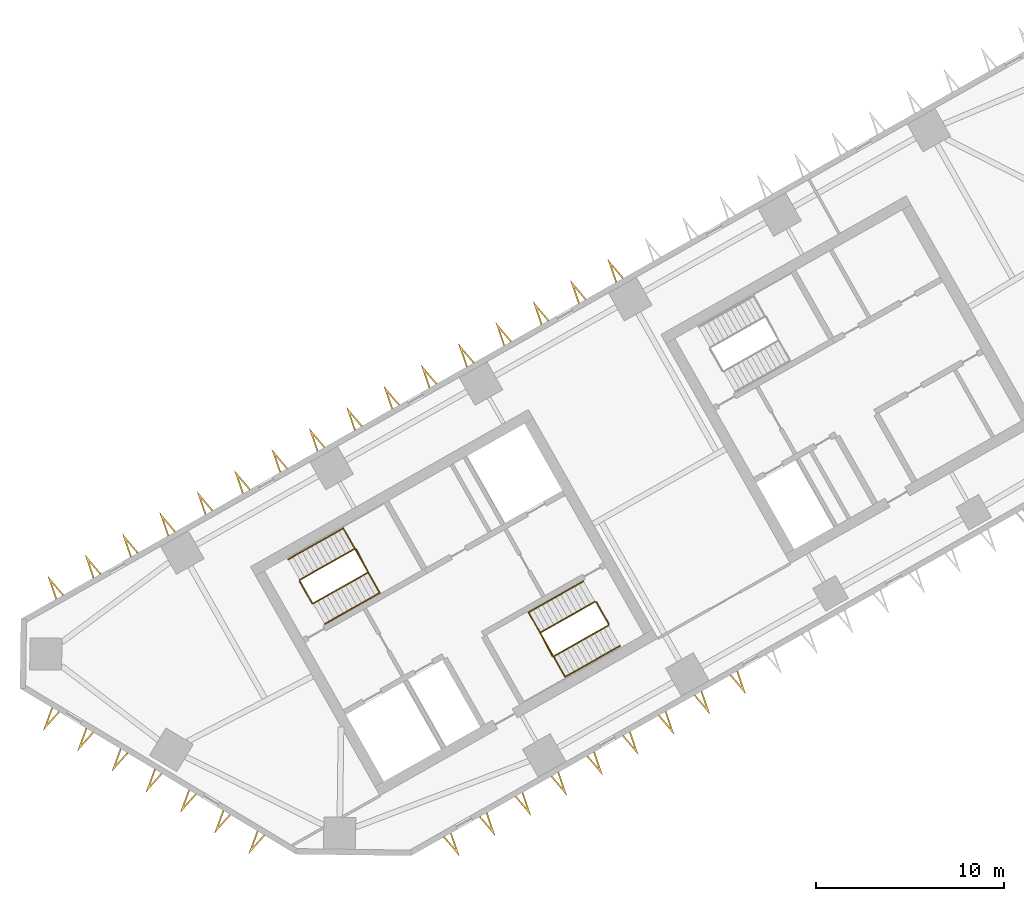
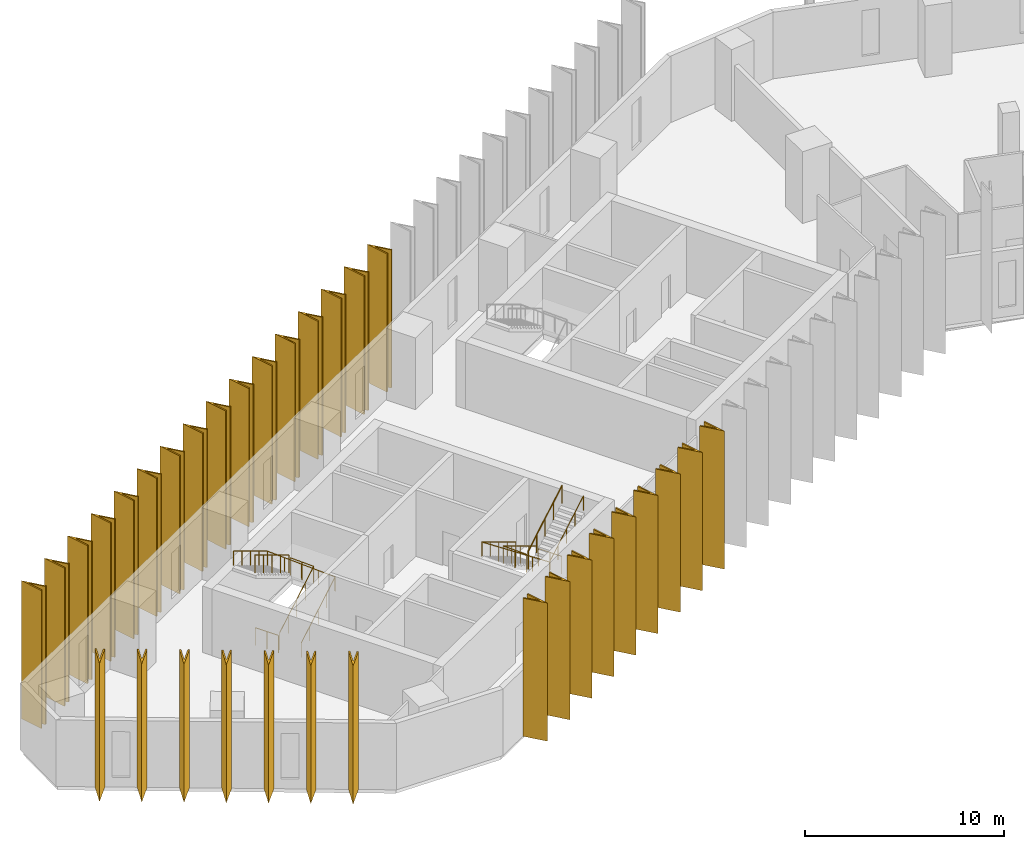
# One storey, part 9 of 11: 32 shading devices, 8 railings.
"""IFC4 building model written with IfcOpenShell, lengths in metres."""

from ifc_helpers import new_model, si_unit, direction, frame, origin, origin_2d, place, context, subcontext, project, spatial, polyline, circle, outline, extrude, material, type_object, element, save


model = new_model("IFC4")

# Units and contexts
model_context = context("Model", 3, precision=1e-05, world=origin(), true_north=direction((0.0, 1.0)))
body_context = subcontext(model_context, "Body", "Model", "MODEL_VIEW")
ifc_project = project(units=[si_unit("LENGTHUNIT", "METRE"), si_unit("AREAUNIT", "SQUARE_METRE"), si_unit("VOLUMEUNIT", "CUBIC_METRE"), si_unit("PLANEANGLEUNIT", "RADIAN"), si_unit("MASSUNIT", "GRAM", prefix="KILO")], contexts=[model_context])

# Site, building, storey
site_placement = place(None, origin())
site = spatial("IfcSite", under=ifc_project, at=site_placement, CompositionType="ELEMENT")
building_placement = place(site_placement, origin())
building = spatial("IfcBuilding", under=site, at=building_placement, Name="Binnacle Exchange Tower", CompositionType="ELEMENT")
storey_placement = place(building_placement, frame((0.0, 0.0, 132.300048828125)))
storey = spatial("IfcBuildingStorey", under=building, at=storey_placement, Name="L27", CompositionType="ELEMENT", Elevation=132.300048828125)

# Railings
ifc_material_1 = material(Name="Steel guard rail", Category="steel")
railing_type_1 = type_object("IfcRailingType", Name="STAIR GUARD 1100", PredefinedType="GUARDRAIL", material=ifc_material_1)
railing_1_placement = place(storey_placement, frame((-43.26171875, 39.71728515625, 0.169189453125)))
element("IfcRailing", 1, at=railing_1_placement, inside=storey, type_object=railing_type_1, Name="L27 STA1 stair guard 1", PredefinedType="GUARDRAIL", context=body_context, shape_type="SweptSolid", body=[
    extrude(circle(Radius=0.02392578125, at=origin_2d()), frame((0.0, 0.0, 1.076171875), z_axis=(0.744867460262, 0.421436531824, 0.517265614832), x_axis=(-0.492433119026, 0.870350287693, 0.0)), (0.0, 0.0, 1.0), 3.926025390625),
    extrude(circle(Radius=0.02392578125, at=origin_2d()), frame((2.92431640625, 1.654541015625, 3.10693359375), z_axis=(-0.460963092712, 0.887419307406, 0.0), x_axis=(-0.887419307406, -0.460963092712, 0.0)), (0.0, 0.0, 1.0), 1.40087890625),
    extrude(circle(Radius=0.02099609375, at=origin_2d()), origin(), (0.0, 0.0, 1.0), 1.052001953125),
    extrude(circle(Radius=0.02099609375, at=origin_2d()), frame((0.73095703125, 0.41357421875, 0.5078125)), (0.0, 0.0, 1.0), 1.052001953125),
    extrude(circle(Radius=0.02099609375, at=origin_2d()), frame((1.462158203125, 0.8271484375, 1.015380859375)), (0.0, 0.0, 1.0), 1.052001953125),
    extrude(circle(Radius=0.02099609375, at=origin_2d()), frame((2.193359375, 1.240966796875, 1.52294921875)), (0.0, 0.0, 1.0), 1.052001953125),
    extrude(circle(Radius=0.02099609375, at=origin_2d()), frame((2.92431640625, 1.654541015625, 2.03076171875)), (0.0, 0.0, 1.0), 1.052001953125),
    extrude(circle(Radius=0.02099609375, at=origin_2d()), frame((2.6015625, 2.276123046875, 2.03076171875)), (0.0, 0.0, 1.0), 1.052001953125),
    extrude(circle(Radius=0.02099609375, at=origin_2d()), frame((2.278564453125, 2.897705078125, 2.03076171875)), (0.0, 0.0, 1.0), 1.052001953125),
])
railing_2_placement = place(storey_placement, frame((-41.05126953125, 42.6337890625, 2.369140625)))
element("IfcRailing", 2, at=railing_2_placement, inside=storey, type_object=railing_type_1, Name="L27 STA1 stair guard 2", PredefinedType="GUARDRAIL", context=body_context, shape_type="SweptSolid", body=[
    extrude(circle(Radius=0.02392578125, at=origin_2d()), frame((0.0, 0.0, 1.076171875), z_axis=(-0.744895141965, -0.421417011194, 0.517241655469), x_axis=(0.49240197835, -0.870367905955, 0.0)), (0.0, 0.0, 1.0), 3.926025390625),
    extrude(circle(Radius=0.02099609375, at=origin_2d()), origin(), (0.0, 0.0, 1.0), 1.052001953125),
    extrude(circle(Radius=0.02099609375, at=origin_2d()), frame((-0.731201171875, -0.41357421875, 0.5078125)), (0.0, 0.0, 1.0), 1.052001953125),
    extrude(circle(Radius=0.02099609375, at=origin_2d()), frame((-1.46240234375, -0.8271484375, 1.015380859375)), (0.0, 0.0, 1.0), 1.052001953125),
    extrude(circle(Radius=0.02099609375, at=origin_2d()), frame((-2.193359375, -1.240966796875, 1.52294921875)), (0.0, 0.0, 1.0), 1.052001953125),
    extrude(circle(Radius=0.02099609375, at=origin_2d()), frame((-2.924560546875, -1.654541015625, 2.03076171875)), (0.0, 0.0, 1.0), 1.052001953125),
])
railing_3_placement = place(storey_placement, frame((-43.329833984375, 39.736328125, 0.0)))
element("IfcRailing", 3, at=railing_3_placement, inside=storey, type_object=railing_type_1, Name="L27 STA1 stair guard 3", PredefinedType="GUARDRAIL", context=body_context, shape_type="SweptSolid", body=[
    extrude(circle(Radius=0.02392578125, at=origin_2d()), frame((0.0, 0.0, 1.076171875), z_axis=(-0.4924922531, 0.870316827734, 0.0), x_axis=(-0.870316827734, -0.4924922531, 0.0)), (0.0, 0.0, 1.0), 1.349853515625),
    extrude(circle(Radius=0.02099609375, at=origin_2d()), origin(), (0.0, 0.0, 1.0), 1.052001953125),
    extrude(circle(Radius=0.02099609375, at=origin_2d()), frame((-0.33251953125, 0.58740234375, 0.0)), (0.0, 0.0, 1.0), 1.052001953125),
    extrude(circle(Radius=0.02099609375, at=origin_2d()), frame((-0.664794921875, 1.1748046875, 0.0)), (0.0, 0.0, 1.0), 1.052001953125),
])
railing_4_placement = place(storey_placement, frame((-28.265380859375, 39.814453125, 0.169189453125)))
element("IfcRailing", 4, at=railing_4_placement, inside=storey, type_object=railing_type_1, Name="L27 STA2 stair guard 1", PredefinedType="GUARDRAIL", context=body_context, shape_type="SweptSolid", body=[
    extrude(circle(Radius=0.02392578125, at=origin_2d()), frame((0.0, 0.0, 1.076171875), z_axis=(-0.744895141965, -0.421417011194, 0.517241655469), x_axis=(0.49240197835, -0.870367905955, 0.0)), (0.0, 0.0, 1.0), 3.926025390625),
    extrude(circle(Radius=0.02392578125, at=origin_2d()), frame((-2.924560546875, -1.654541015625, 3.10693359375), z_axis=(0.461100321709, -0.887348011391, 0.0), x_axis=(0.887348011391, 0.461100321709, 0.0)), (0.0, 0.0, 1.0), 1.40087890625),
    extrude(circle(Radius=0.02099609375, at=origin_2d()), origin(), (0.0, 0.0, 1.0), 1.052001953125),
    extrude(circle(Radius=0.02099609375, at=origin_2d()), frame((-0.731201171875, -0.41357421875, 0.5078125)), (0.0, 0.0, 1.0), 1.052001953125),
    extrude(circle(Radius=0.02099609375, at=origin_2d()), frame((-1.46240234375, -0.8271484375, 1.015380859375)), (0.0, 0.0, 1.0), 1.052001953125),
    extrude(circle(Radius=0.02099609375, at=origin_2d()), frame((-2.193359375, -1.240966796875, 1.52294921875)), (0.0, 0.0, 1.0), 1.052001953125),
    extrude(circle(Radius=0.02099609375, at=origin_2d()), frame((-2.924560546875, -1.654541015625, 2.03076171875)), (0.0, 0.0, 1.0), 1.052001953125),
    extrude(circle(Radius=0.02099609375, at=origin_2d()), frame((-2.6015625, -2.276123046875, 2.03076171875)), (0.0, 0.0, 1.0), 1.052001953125),
    extrude(circle(Radius=0.02099609375, at=origin_2d()), frame((-2.278564453125, -2.897705078125, 2.03076171875)), (0.0, 0.0, 1.0), 1.052001953125),
])
railing_5_placement = place(storey_placement, frame((-30.475830078125, 36.89794921875, 2.369140625)))
element("IfcRailing", 5, at=railing_5_placement, inside=storey, type_object=railing_type_1, Name="L27 STA2 stair guard 2", PredefinedType="GUARDRAIL", context=body_context, shape_type="SweptSolid", body=[
    extrude(circle(Radius=0.02392578125, at=origin_2d()), frame((0.0, 0.0, 1.076171875), z_axis=(0.744867460262, 0.421436531824, 0.517265614832), x_axis=(-0.492433119026, 0.870350287693, 0.0)), (0.0, 0.0, 1.0), 3.926025390625),
    extrude(circle(Radius=0.02099609375, at=origin_2d()), origin(), (0.0, 0.0, 1.0), 1.052001953125),
    extrude(circle(Radius=0.02099609375, at=origin_2d()), frame((0.73095703125, 0.41357421875, 0.5078125)), (0.0, 0.0, 1.0), 1.052001953125),
    extrude(circle(Radius=0.02099609375, at=origin_2d()), frame((1.462158203125, 0.8271484375, 1.015380859375)), (0.0, 0.0, 1.0), 1.052001953125),
    extrude(circle(Radius=0.02099609375, at=origin_2d()), frame((2.193359375, 1.240966796875, 1.52294921875)), (0.0, 0.0, 1.0), 1.052001953125),
    extrude(circle(Radius=0.02099609375, at=origin_2d()), frame((2.92431640625, 1.654541015625, 2.03076171875)), (0.0, 0.0, 1.0), 1.052001953125),
])
railing_6_placement = place(storey_placement, frame((-28.197265625, 39.795654296875, 0.0)))
element("IfcRailing", 6, at=railing_6_placement, inside=storey, type_object=railing_type_1, Name="L27 STA2 stair guard 3", PredefinedType="GUARDRAIL", context=body_context, shape_type="SweptSolid", body=[
    extrude(circle(Radius=0.02392578125, at=origin_2d()), frame((0.0, 0.0, 1.076171875), z_axis=(0.49241474071, -0.870360685654, 0.0), x_axis=(0.870360685654, 0.49241474071, 0.0)), (0.0, 0.0, 1.0), 1.35009765625),
    extrude(circle(Radius=0.02099609375, at=origin_2d()), origin(), (0.0, 0.0, 1.0), 1.052001953125),
    extrude(circle(Radius=0.02099609375, at=origin_2d()), frame((0.33251953125, -0.58740234375, 0.0)), (0.0, 0.0, 1.0), 1.052001953125),
    extrude(circle(Radius=0.02099609375, at=origin_2d()), frame((0.664794921875, -1.175048828125, 0.0)), (0.0, 0.0, 1.0), 1.052001953125),
])
ifc_material_2 = material(Name="Steel handrail", Category="steel")
railing_type_2 = type_object("IfcRailingType", Name="STAIR HANDRAIL 900", PredefinedType="HANDRAIL", material=ifc_material_2)
railing_7_placement = place(storey_placement, frame((-42.646240234375, 38.62939453125, 0.169189453125)))
element("IfcRailing", 7, at=railing_7_placement, inside=storey, type_object=railing_type_2, Name="L27 STA1 stair handrail 1", PredefinedType="HANDRAIL", context=body_context, shape_type="SweptSolid", body=[
    extrude(circle(Radius=0.02392578125, at=origin_2d()), frame((0.0, 0.0, 0.8759765625), z_axis=(0.744867460262, 0.421436531824, 0.517265614832), x_axis=(-0.492433119026, 0.870350287693, 0.0)), (0.0, 0.0, 1.0), 3.926025390625),
    extrude(circle(Radius=0.02392578125, at=origin_2d()), frame((2.92431640625, 1.654541015625, 2.90673828125), z_axis=(-0.491962556146, 0.869564041126, 0.04279277663), x_axis=(-0.870361318571, -0.492413622004, 0.0)), (0.0, 0.0, 1.0), 3.95361328125),
    extrude(circle(Radius=0.02392578125, at=origin_2d()), frame((0.979248046875, 5.092529296875, 3.07568359375), z_axis=(-0.744867460262, -0.421436531824, 0.517265614832), x_axis=(0.492433119026, -0.870350287693, 0.0)), (0.0, 0.0, 1.0), 3.926025390625),
    extrude(circle(Radius=0.02099609375, at=origin_2d()), origin(), (0.0, 0.0, 1.0), 0.851806640625),
    extrude(circle(Radius=0.02099609375, at=origin_2d()), frame((0.73095703125, 0.41357421875, 0.5078125)), (0.0, 0.0, 1.0), 0.851806640625),
    extrude(circle(Radius=0.02099609375, at=origin_2d()), frame((1.462158203125, 0.8271484375, 1.015380859375)), (0.0, 0.0, 1.0), 0.851806640625),
    extrude(circle(Radius=0.02099609375, at=origin_2d()), frame((2.193359375, 1.240966796875, 1.52294921875)), (0.0, 0.0, 1.0), 0.851806640625),
    extrude(circle(Radius=0.02099609375, at=origin_2d()), frame((2.92431640625, 1.654541015625, 2.03076171875)), (0.0, 0.0, 1.0), 0.851806640625),
    extrude(circle(Radius=0.02099609375, at=origin_2d()), frame((2.43798828125, 2.51416015625, 2.072998046875)), (0.0, 0.0, 1.0), 0.851806640625),
    extrude(circle(Radius=0.02099609375, at=origin_2d()), frame((1.95166015625, 3.37353515625, 2.115234375)), (0.0, 0.0, 1.0), 0.851806640625),
    extrude(circle(Radius=0.02099609375, at=origin_2d()), frame((1.465576171875, 4.23291015625, 2.15771484375)), (0.0, 0.0, 1.0), 0.851806640625),
    extrude(circle(Radius=0.02099609375, at=origin_2d()), frame((0.979248046875, 5.092529296875, 2.199951171875)), (0.0, 0.0, 1.0), 0.851806640625),
    extrude(circle(Radius=0.02099609375, at=origin_2d()), frame((0.248046875, 4.678955078125, 2.70751953125)), (0.0, 0.0, 1.0), 0.851806640625),
    extrude(circle(Radius=0.02099609375, at=origin_2d()), frame((-0.48291015625, 4.26513671875, 3.21533203125)), (0.0, 0.0, 1.0), 0.851806640625),
    extrude(circle(Radius=0.02099609375, at=origin_2d()), frame((-1.2138671875, 3.8515625, 3.72314453125)), (0.0, 0.0, 1.0), 0.851806640625),
    extrude(circle(Radius=0.02099609375, at=origin_2d()), frame((-1.945068359375, 3.43798828125, 4.230712890625)), (0.0, 0.0, 1.0), 0.851806640625),
])
railing_8_placement = place(storey_placement, frame((-28.880859375, 40.90234375, 0.169189453125)))
element("IfcRailing", 8, at=railing_8_placement, inside=storey, type_object=railing_type_2, Name="L27 STA2 stair handrail 1", PredefinedType="HANDRAIL", context=body_context, shape_type="SweptSolid", body=[
    extrude(circle(Radius=0.02392578125, at=origin_2d()), frame((0.0, 0.0, 0.8759765625), z_axis=(-0.744895141965, -0.421417011194, 0.517241655469), x_axis=(0.49240197835, -0.870367905955, 0.0)), (0.0, 0.0, 1.0), 3.926025390625),
    extrude(circle(Radius=0.02392578125, at=origin_2d()), frame((-2.924560546875, -1.654541015625, 2.90673828125), z_axis=(0.491988973567, -0.869548981648, 0.042795074518), x_axis=(0.87034633103, 0.492440112159, 0.0)), (0.0, 0.0, 1.0), 3.953369140625),
    extrude(circle(Radius=0.02392578125, at=origin_2d()), frame((-0.9794921875, -5.09228515625, 3.07568359375), z_axis=(0.744895141965, 0.421417011194, 0.517241655469), x_axis=(-0.49240197835, 0.870367905955, 0.0)), (0.0, 0.0, 1.0), 3.926025390625),
    extrude(circle(Radius=0.02099609375, at=origin_2d()), origin(), (0.0, 0.0, 1.0), 0.851806640625),
    extrude(circle(Radius=0.02099609375, at=origin_2d()), frame((-0.731201171875, -0.41357421875, 0.5078125)), (0.0, 0.0, 1.0), 0.851806640625),
    extrude(circle(Radius=0.02099609375, at=origin_2d()), frame((-1.46240234375, -0.8271484375, 1.015380859375)), (0.0, 0.0, 1.0), 0.851806640625),
    extrude(circle(Radius=0.02099609375, at=origin_2d()), frame((-2.193359375, -1.240966796875, 1.52294921875)), (0.0, 0.0, 1.0), 0.851806640625),
    extrude(circle(Radius=0.02099609375, at=origin_2d()), frame((-2.924560546875, -1.654541015625, 2.03076171875)), (0.0, 0.0, 1.0), 0.851806640625),
    extrude(circle(Radius=0.02099609375, at=origin_2d()), frame((-2.438232421875, -2.513916015625, 2.072998046875)), (0.0, 0.0, 1.0), 0.851806640625),
    extrude(circle(Radius=0.02099609375, at=origin_2d()), frame((-1.9521484375, -3.37353515625, 2.115234375)), (0.0, 0.0, 1.0), 0.851806640625),
    extrude(circle(Radius=0.02099609375, at=origin_2d()), frame((-1.4658203125, -4.23291015625, 2.15771484375)), (0.0, 0.0, 1.0), 0.851806640625),
    extrude(circle(Radius=0.02099609375, at=origin_2d()), frame((-0.9794921875, -5.09228515625, 2.199951171875)), (0.0, 0.0, 1.0), 0.851806640625),
    extrude(circle(Radius=0.02099609375, at=origin_2d()), frame((-0.248291015625, -4.6787109375, 2.70751953125)), (0.0, 0.0, 1.0), 0.851806640625),
    extrude(circle(Radius=0.02099609375, at=origin_2d()), frame((0.48291015625, -4.26513671875, 3.21533203125)), (0.0, 0.0, 1.0), 0.851806640625),
    extrude(circle(Radius=0.02099609375, at=origin_2d()), frame((1.2138671875, -3.851318359375, 3.72314453125)), (0.0, 0.0, 1.0), 0.851806640625),
    extrude(circle(Radius=0.02099609375, at=origin_2d()), frame((1.945068359375, -3.437744140625, 4.230712890625)), (0.0, 0.0, 1.0), 0.851806640625),
])

# Shading devices
ifc_material_3 = material(Name="Bronze aluminium cladding", Category="aluminium")
shading_device_type = type_object("IfcShadingDeviceType", Name="V FIN 1300 DEEP x 8480 HIGH", PredefinedType="USERDEFINED", material=ifc_material_3)
shading_device_1_placement = place(storey_placement, origin())
element("IfcShadingDevice", 9, at=shading_device_1_placement, inside=storey, type_object=shading_device_type, Name="V fin FN-F03-12 L27", ObjectType="FIN", PredefinedType="USERDEFINED", context=body_context, shape_type="SweptSolid", body=[
    extrude(outline(polyline([(-26.7412109375, 57.04296875), (-27.59912109375, 58.05126953125), (-27.176513671875, 56.796630859375), (-27.10546875, 56.8369140625), (-27.390380859375, 57.6826171875), (-26.81201171875, 57.002685546875), (-26.7412109375, 57.04296875)])), origin(), (0.0, 0.0, 1.0), 8.47998046875),
])
shading_device_2_placement = place(storey_placement, origin())
element("IfcShadingDevice", 10, at=shading_device_2_placement, inside=storey, type_object=shading_device_type, Name="V fin FN-F03-13 L27", ObjectType="FIN", PredefinedType="USERDEFINED", context=body_context, shape_type="SweptSolid", body=[
    extrude(outline(polyline([(-28.727783203125, 55.9189453125), (-29.58544921875, 56.92724609375), (-29.162841796875, 55.672607421875), (-29.092041015625, 55.712890625), (-29.376708984375, 56.55859375), (-28.798583984375, 55.87890625), (-28.727783203125, 55.9189453125)])), origin(), (0.0, 0.0, 1.0), 8.47998046875),
])
shading_device_3_placement = place(storey_placement, origin())
element("IfcShadingDevice", 11, at=shading_device_3_placement, inside=storey, type_object=shading_device_type, Name="V fin FN-F03-14 L27", ObjectType="FIN", PredefinedType="USERDEFINED", context=body_context, shape_type="SweptSolid", body=[
    extrude(outline(polyline([(-30.71435546875, 54.794921875), (-31.572021484375, 55.803466796875), (-31.1494140625, 54.548828125), (-31.07861328125, 54.5888671875), (-31.36328125, 55.434814453125), (-30.78515625, 54.7548828125), (-30.71435546875, 54.794921875)])), origin(), (0.0, 0.0, 1.0), 8.47998046875),
])
shading_device_4_placement = place(storey_placement, origin())
element("IfcShadingDevice", 12, at=shading_device_4_placement, inside=storey, type_object=shading_device_type, Name="V fin FN-F03-15 L27", ObjectType="FIN", PredefinedType="USERDEFINED", context=body_context, shape_type="SweptSolid", body=[
    extrude(outline(polyline([(-32.70068359375, 53.6708984375), (-33.55859375, 54.679443359375), (-33.135986328125, 53.4248046875), (-33.065185546875, 53.46484375), (-33.349853515625, 54.310791015625), (-32.771728515625, 53.630859375), (-32.70068359375, 53.6708984375)])), origin(), (0.0, 0.0, 1.0), 8.47998046875),
])
shading_device_5_placement = place(storey_placement, origin())
element("IfcShadingDevice", 13, at=shading_device_5_placement, inside=storey, type_object=shading_device_type, Name="V fin FN-F03-16 L27", ObjectType="FIN", PredefinedType="USERDEFINED", context=body_context, shape_type="SweptSolid", body=[
    extrude(outline(polyline([(-34.687255859375, 52.547119140625), (-35.545166015625, 53.555419921875), (-35.12255859375, 52.30078125), (-35.051513671875, 52.341064453125), (-35.33642578125, 53.186767578125), (-34.75830078125, 52.507080078125), (-34.687255859375, 52.547119140625)])), origin(), (0.0, 0.0, 1.0), 8.47998046875),
])
shading_device_6_placement = place(storey_placement, origin())
element("IfcShadingDevice", 14, at=shading_device_6_placement, inside=storey, type_object=shading_device_type, Name="V fin FN-F03-17 L27", ObjectType="FIN", PredefinedType="USERDEFINED", context=body_context, shape_type="SweptSolid", body=[
    extrude(outline(polyline([(-36.673828125, 51.423095703125), (-37.53173828125, 52.431640625), (-37.109130859375, 51.177001953125), (-37.0380859375, 51.217041015625), (-37.322998046875, 52.06298828125), (-36.744873046875, 51.383056640625), (-36.673828125, 51.423095703125)])), origin(), (0.0, 0.0, 1.0), 8.47998046875),
])
shading_device_7_placement = place(storey_placement, origin())
element("IfcShadingDevice", 15, at=shading_device_7_placement, inside=storey, type_object=shading_device_type, Name="V fin FN-F03-18 L27", ObjectType="FIN", PredefinedType="USERDEFINED", context=body_context, shape_type="SweptSolid", body=[
    extrude(outline(polyline([(-38.660400390625, 50.29931640625), (-39.518310546875, 51.3076171875), (-39.095703125, 50.052978515625), (-39.02490234375, 50.093017578125), (-39.3095703125, 50.93896484375), (-38.7314453125, 50.259033203125), (-38.660400390625, 50.29931640625)])), origin(), (0.0, 0.0, 1.0), 8.47998046875),
])
shading_device_8_placement = place(storey_placement, origin())
element("IfcShadingDevice", 16, at=shading_device_8_placement, inside=storey, type_object=shading_device_type, Name="V fin FN-F03-19 L27", ObjectType="FIN", PredefinedType="USERDEFINED", context=body_context, shape_type="SweptSolid", body=[
    extrude(outline(polyline([(-40.64697265625, 49.17529296875), (-41.5048828125, 50.18359375), (-41.082275390625, 48.92919921875), (-41.01123046875, 48.96923828125), (-41.296142578125, 49.81494140625), (-40.718017578125, 49.13525390625), (-40.64697265625, 49.17529296875)])), origin(), (0.0, 0.0, 1.0), 8.47998046875),
])
shading_device_9_placement = place(storey_placement, origin())
element("IfcShadingDevice", 17, at=shading_device_9_placement, inside=storey, type_object=shading_device_type, Name="V fin FN-F03-20 L27", ObjectType="FIN", PredefinedType="USERDEFINED", context=body_context, shape_type="SweptSolid", body=[
    extrude(outline(polyline([(-42.633544921875, 48.05126953125), (-43.491455078125, 49.059814453125), (-43.06884765625, 47.80517578125), (-42.997802734375, 47.84521484375), (-43.28271484375, 48.69091796875), (-42.70458984375, 48.01123046875), (-42.633544921875, 48.05126953125)])), origin(), (0.0, 0.0, 1.0), 8.47998046875),
])
shading_device_10_placement = place(storey_placement, origin())
element("IfcShadingDevice", 18, at=shading_device_10_placement, inside=storey, type_object=shading_device_type, Name="V fin FN-F03-21 L27", ObjectType="FIN", PredefinedType="USERDEFINED", context=body_context, shape_type="SweptSolid", body=[
    extrude(outline(polyline([(-44.6201171875, 46.927490234375), (-45.47802734375, 47.935791015625), (-45.055419921875, 46.68115234375), (-44.984619140625, 46.72119140625), (-45.269287109375, 47.567138671875), (-44.691162109375, 46.88720703125), (-44.6201171875, 46.927490234375)])), origin(), (0.0, 0.0, 1.0), 8.47998046875),
])
shading_device_11_placement = place(storey_placement, origin())
element("IfcShadingDevice", 19, at=shading_device_11_placement, inside=storey, type_object=shading_device_type, Name="V fin FN-F03-22 L27", ObjectType="FIN", PredefinedType="USERDEFINED", context=body_context, shape_type="SweptSolid", body=[
    extrude(outline(polyline([(-46.606689453125, 45.803466796875), (-47.464599609375, 46.81201171875), (-47.0419921875, 45.557373046875), (-46.970947265625, 45.597412109375), (-47.255859375, 46.443115234375), (-46.677490234375, 45.763427734375), (-46.606689453125, 45.803466796875)])), origin(), (0.0, 0.0, 1.0), 8.47998046875),
])
shading_device_12_placement = place(storey_placement, origin())
element("IfcShadingDevice", 20, at=shading_device_12_placement, inside=storey, type_object=shading_device_type, Name="V fin FN-F03-23 L27", ObjectType="FIN", PredefinedType="USERDEFINED", context=body_context, shape_type="SweptSolid", body=[
    extrude(outline(polyline([(-48.59326171875, 44.679443359375), (-49.451171875, 45.68798828125), (-49.028564453125, 44.433349609375), (-48.95751953125, 44.473388671875), (-49.242431640625, 45.319091796875), (-48.664306640625, 44.639404296875), (-48.59326171875, 44.679443359375)])), origin(), (0.0, 0.0, 1.0), 8.47998046875),
])
shading_device_13_placement = place(storey_placement, origin())
element("IfcShadingDevice", 21, at=shading_device_13_placement, inside=storey, type_object=shading_device_type, Name="V fin FN-F03-24 L27", ObjectType="FIN", PredefinedType="USERDEFINED", context=body_context, shape_type="SweptSolid", body=[
    extrude(outline(polyline([(-50.579833984375, 43.5556640625), (-51.4375, 44.56396484375), (-51.014892578125, 43.309326171875), (-50.944091796875, 43.349609375), (-51.22900390625, 44.1953125), (-50.650634765625, 43.515380859375), (-50.579833984375, 43.5556640625)])), origin(), (0.0, 0.0, 1.0), 8.47998046875),
])
shading_device_14_placement = place(storey_placement, origin())
element("IfcShadingDevice", 22, at=shading_device_14_placement, inside=storey, type_object=shading_device_type, Name="V fin FN-F03-25 L27", ObjectType="FIN", PredefinedType="USERDEFINED", context=body_context, shape_type="SweptSolid", body=[
    extrude(outline(polyline([(-52.56640625, 42.431640625), (-53.42431640625, 43.440185546875), (-53.001708984375, 42.185546875), (-52.9306640625, 42.2255859375), (-53.215576171875, 43.0712890625), (-52.63720703125, 42.3916015625), (-52.56640625, 42.431640625)])), origin(), (0.0, 0.0, 1.0), 8.47998046875),
])
shading_device_15_placement = place(storey_placement, origin())
element("IfcShadingDevice", 23, at=shading_device_15_placement, inside=storey, type_object=shading_device_type, Name="V fin FN-F03-26 L27", ObjectType="FIN", PredefinedType="USERDEFINED", context=body_context, shape_type="SweptSolid", body=[
    extrude(outline(polyline([(-54.552978515625, 41.3076171875), (-55.410888671875, 42.316162109375), (-54.98828125, 41.0615234375), (-54.917236328125, 41.1015625), (-55.2021484375, 41.947509765625), (-54.623779296875, 41.267578125), (-54.552978515625, 41.3076171875)])), origin(), (0.0, 0.0, 1.0), 8.47998046875),
])
shading_device_16_placement = place(storey_placement, origin())
element("IfcShadingDevice", 24, at=shading_device_16_placement, inside=storey, type_object=shading_device_type, Name="V fin FN-F03-27 L27", ObjectType="FIN", PredefinedType="USERDEFINED", context=body_context, shape_type="SweptSolid", body=[
    extrude(outline(polyline([(-56.53955078125, 40.183837890625), (-57.397216796875, 41.192138671875), (-56.974609375, 39.9375), (-56.90380859375, 39.977783203125), (-57.188720703125, 40.823486328125), (-56.6103515625, 40.143798828125), (-56.53955078125, 40.183837890625)])), origin(), (0.0, 0.0, 1.0), 8.47998046875),
])
shading_device_17_placement = place(storey_placement, origin())
element("IfcShadingDevice", 25, at=shading_device_17_placement, inside=storey, type_object=shading_device_type, Name="V fin FN-F05-01 L27", ObjectType="FIN", PredefinedType="USERDEFINED", context=body_context, shape_type="SweptSolid", body=[
    extrude(outline(polyline([(-57.18603515625, 34.185791015625), (-57.641357421875, 32.94287109375), (-56.757568359375, 33.92822265625), (-56.827392578125, 33.97021484375), (-57.423095703125, 33.305908203125), (-57.1162109375, 34.143798828125), (-57.18603515625, 34.185791015625)])), origin(), (0.0, 0.0, 1.0), 8.47998046875),
])
shading_device_18_placement = place(storey_placement, origin())
element("IfcShadingDevice", 26, at=shading_device_18_placement, inside=storey, type_object=shading_device_type, Name="V fin FN-F05-02 L27", ObjectType="FIN", PredefinedType="USERDEFINED", context=body_context, shape_type="SweptSolid", body=[
    extrude(outline(polyline([(-55.364501953125, 33.09130859375), (-55.81982421875, 31.848388671875), (-54.93603515625, 32.833740234375), (-55.005859375, 32.875732421875), (-55.601806640625, 32.21142578125), (-55.294921875, 33.04931640625), (-55.364501953125, 33.09130859375)])), origin(), (0.0, 0.0, 1.0), 8.47998046875),
])
shading_device_19_placement = place(storey_placement, origin())
element("IfcShadingDevice", 27, at=shading_device_19_placement, inside=storey, type_object=shading_device_type, Name="V fin FN-F05-03 L27", ObjectType="FIN", PredefinedType="USERDEFINED", context=body_context, shape_type="SweptSolid", body=[
    extrude(outline(polyline([(-53.543212890625, 31.9970703125), (-53.998291015625, 30.75390625), (-53.114501953125, 31.739501953125), (-53.184326171875, 31.781494140625), (-53.7802734375, 31.116943359375), (-53.473388671875, 31.955078125), (-53.543212890625, 31.9970703125)])), origin(), (0.0, 0.0, 1.0), 8.47998046875),
])
shading_device_20_placement = place(storey_placement, origin())
element("IfcShadingDevice", 28, at=shading_device_20_placement, inside=storey, type_object=shading_device_type, Name="V fin FN-F05-04 L27", ObjectType="FIN", PredefinedType="USERDEFINED", context=body_context, shape_type="SweptSolid", body=[
    extrude(outline(polyline([(-51.7216796875, 30.902587890625), (-52.1767578125, 29.659423828125), (-51.29296875, 30.64501953125), (-51.36279296875, 30.68701171875), (-51.958740234375, 30.0224609375), (-51.65185546875, 30.860595703125), (-51.7216796875, 30.902587890625)])), origin(), (0.0, 0.0, 1.0), 8.47998046875),
])
shading_device_21_placement = place(storey_placement, origin())
element("IfcShadingDevice", 29, at=shading_device_21_placement, inside=storey, type_object=shading_device_type, Name="V fin FN-F05-05 L27", ObjectType="FIN", PredefinedType="USERDEFINED", context=body_context, shape_type="SweptSolid", body=[
    extrude(outline(polyline([(-49.900146484375, 29.80810546875), (-50.35546875, 28.56494140625), (-49.4716796875, 29.55029296875), (-49.54150390625, 29.59228515625), (-50.13720703125, 28.927978515625), (-49.830322265625, 29.76611328125), (-49.900146484375, 29.80810546875)])), origin(), (0.0, 0.0, 1.0), 8.47998046875),
])
shading_device_22_placement = place(storey_placement, origin())
element("IfcShadingDevice", 30, at=shading_device_22_placement, inside=storey, type_object=shading_device_type, Name="V fin FN-F05-06 L27", ObjectType="FIN", PredefinedType="USERDEFINED", context=body_context, shape_type="SweptSolid", body=[
    extrude(outline(polyline([(-48.07861328125, 28.713623046875), (-48.533935546875, 27.470458984375), (-47.650146484375, 28.4560546875), (-47.719970703125, 28.498046875), (-48.31591796875, 27.83349609375), (-48.0087890625, 28.671630859375), (-48.07861328125, 28.713623046875)])), origin(), (0.0, 0.0, 1.0), 8.47998046875),
])
shading_device_23_placement = place(storey_placement, origin())
element("IfcShadingDevice", 31, at=shading_device_23_placement, inside=storey, type_object=shading_device_type, Name="V fin FN-F05-07 L27", ObjectType="FIN", PredefinedType="USERDEFINED", context=body_context, shape_type="SweptSolid", body=[
    extrude(outline(polyline([(-46.257080078125, 27.619140625), (-46.71240234375, 26.3759765625), (-45.82861328125, 27.361572265625), (-45.8984375, 27.403564453125), (-46.494384765625, 26.739013671875), (-46.1875, 27.5771484375), (-46.257080078125, 27.619140625)])), origin(), (0.0, 0.0, 1.0), 8.47998046875),
])
shading_device_24_placement = place(storey_placement, origin())
element("IfcShadingDevice", 32, at=shading_device_24_placement, inside=storey, type_object=shading_device_type, Name="V fin FN-F07-01 L27", ObjectType="FIN", PredefinedType="USERDEFINED", context=body_context, shape_type="SweptSolid", body=[
    extrude(outline(polyline([(-36.336669921875, 27.269287109375), (-35.47900390625, 26.260986328125), (-35.901611328125, 27.515625), (-35.972412109375, 27.4755859375), (-35.6875, 26.629638671875), (-36.265869140625, 27.3095703125), (-36.336669921875, 27.269287109375)])), origin(), (0.0, 0.0, 1.0), 8.47998046875),
])
shading_device_25_placement = place(storey_placement, origin())
element("IfcShadingDevice", 33, at=shading_device_25_placement, inside=storey, type_object=shading_device_type, Name="V fin FN-F07-02 L27", ObjectType="FIN", PredefinedType="USERDEFINED", context=body_context, shape_type="SweptSolid", body=[
    extrude(outline(polyline([(-34.431640625, 28.34716796875), (-33.573974609375, 27.338623046875), (-33.99658203125, 28.59326171875), (-34.0673828125, 28.55322265625), (-33.78271484375, 27.70751953125), (-34.36083984375, 28.38720703125), (-34.431640625, 28.34716796875)])), origin(), (0.0, 0.0, 1.0), 8.47998046875),
])
shading_device_26_placement = place(storey_placement, origin())
element("IfcShadingDevice", 34, at=shading_device_26_placement, inside=storey, type_object=shading_device_type, Name="V fin FN-F07-03 L27", ObjectType="FIN", PredefinedType="USERDEFINED", context=body_context, shape_type="SweptSolid", body=[
    extrude(outline(polyline([(-32.52685546875, 29.4248046875), (-31.669189453125, 28.41650390625), (-32.091796875, 29.671142578125), (-32.16259765625, 29.631103515625), (-31.877685546875, 28.78515625), (-32.4560546875, 29.465087890625), (-32.52685546875, 29.4248046875)])), origin(), (0.0, 0.0, 1.0), 8.47998046875),
])
shading_device_27_placement = place(storey_placement, origin())
element("IfcShadingDevice", 35, at=shading_device_27_placement, inside=storey, type_object=shading_device_type, Name="V fin FN-F07-04 L27", ObjectType="FIN", PredefinedType="USERDEFINED", context=body_context, shape_type="SweptSolid", body=[
    extrude(outline(polyline([(-30.6220703125, 30.502685546875), (-29.76416015625, 29.494140625), (-30.186767578125, 30.748779296875), (-30.2578125, 30.708740234375), (-29.972900390625, 29.86279296875), (-30.551025390625, 30.542724609375), (-30.6220703125, 30.502685546875)])), origin(), (0.0, 0.0, 1.0), 8.47998046875),
])
shading_device_28_placement = place(storey_placement, origin())
element("IfcShadingDevice", 36, at=shading_device_28_placement, inside=storey, type_object=shading_device_type, Name="V fin FN-F07-05 L27", ObjectType="FIN", PredefinedType="USERDEFINED", context=body_context, shape_type="SweptSolid", body=[
    extrude(outline(polyline([(-28.717041015625, 31.580322265625), (-27.859375, 30.572021484375), (-28.281982421875, 31.826416015625), (-28.352783203125, 31.786376953125), (-28.068115234375, 30.940673828125), (-28.646240234375, 31.620361328125), (-28.717041015625, 31.580322265625)])), origin(), (0.0, 0.0, 1.0), 8.47998046875),
])
shading_device_29_placement = place(storey_placement, origin())
element("IfcShadingDevice", 37, at=shading_device_29_placement, inside=storey, type_object=shading_device_type, Name="V fin FN-F07-06 L27", ObjectType="FIN", PredefinedType="USERDEFINED", context=body_context, shape_type="SweptSolid", body=[
    extrude(outline(polyline([(-26.812255859375, 32.658203125), (-25.954345703125, 31.649658203125), (-26.376953125, 32.904296875), (-26.447998046875, 32.8642578125), (-26.1630859375, 32.018310546875), (-26.7412109375, 32.6982421875), (-26.812255859375, 32.658203125)])), origin(), (0.0, 0.0, 1.0), 8.47998046875),
])
shading_device_30_placement = place(storey_placement, origin())
element("IfcShadingDevice", 38, at=shading_device_30_placement, inside=storey, type_object=shading_device_type, Name="V fin FN-F07-07 L27", ObjectType="FIN", PredefinedType="USERDEFINED", context=body_context, shape_type="SweptSolid", body=[
    extrude(outline(polyline([(-24.9072265625, 33.73583984375), (-24.049560546875, 32.727294921875), (-24.47216796875, 33.98193359375), (-24.54296875, 33.94189453125), (-24.25830078125, 33.09619140625), (-24.83642578125, 33.77587890625), (-24.9072265625, 33.73583984375)])), origin(), (0.0, 0.0, 1.0), 8.47998046875),
])
shading_device_31_placement = place(storey_placement, origin())
element("IfcShadingDevice", 39, at=shading_device_31_placement, inside=storey, type_object=shading_device_type, Name="V fin FN-F07-08 L27", ObjectType="FIN", PredefinedType="USERDEFINED", context=body_context, shape_type="SweptSolid", body=[
    extrude(outline(polyline([(-23.00244140625, 34.8134765625), (-22.14453125, 33.80517578125), (-22.567138671875, 35.059814453125), (-22.63818359375, 35.01953125), (-22.353271484375, 34.173828125), (-22.931396484375, 34.853515625), (-23.00244140625, 34.8134765625)])), origin(), (0.0, 0.0, 1.0), 8.47998046875),
])
shading_device_32_placement = place(storey_placement, origin())
element("IfcShadingDevice", 40, at=shading_device_32_placement, inside=storey, type_object=shading_device_type, Name="V fin FN-F07-09 L27", ObjectType="FIN", PredefinedType="USERDEFINED", context=body_context, shape_type="SweptSolid", body=[
    extrude(outline(polyline([(-21.097412109375, 35.891357421875), (-20.23974609375, 34.8828125), (-20.662353515625, 36.137451171875), (-20.733154296875, 36.097412109375), (-20.448486328125, 35.251708984375), (-21.026611328125, 35.931396484375), (-21.097412109375, 35.891357421875)])), origin(), (0.0, 0.0, 1.0), 8.47998046875),
])

save(model, "model.ifc")
